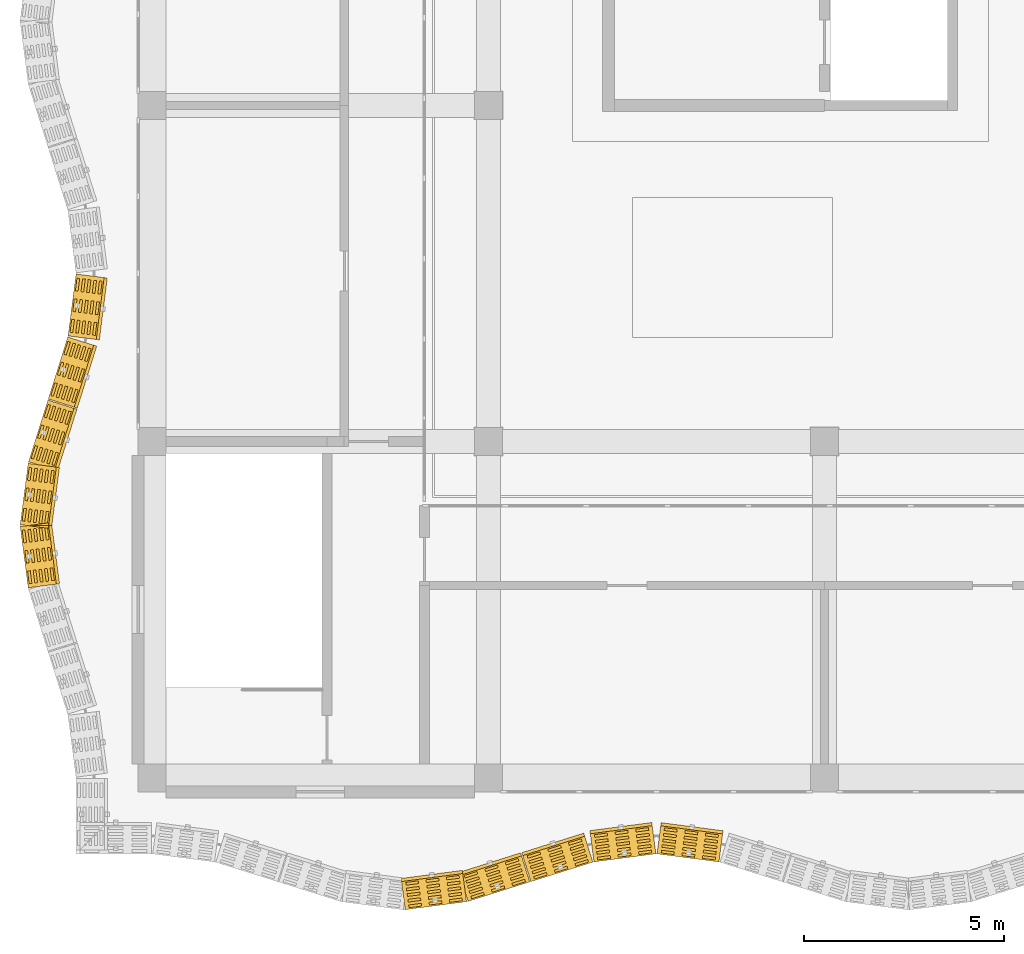
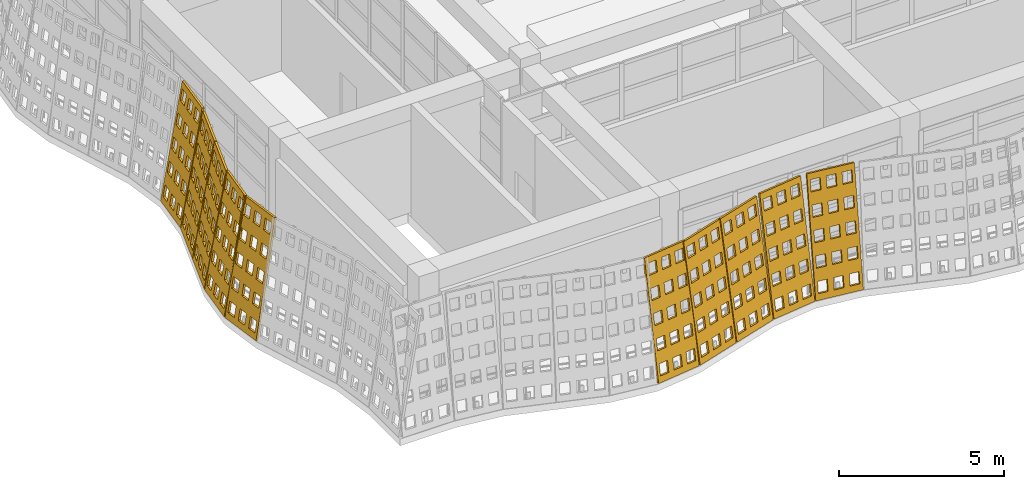
# One storey, part 72 of 85: 10 coverings.
"""IFC4 building model written with IfcOpenShell, lengths in metres."""

from ifc_helpers import new_model, si_unit, direction, frame, origin, place, context, subcontext, project, spatial, polyline, outline, extrude, material, layer, layer_set, type_object, element, save


model = new_model("IFC4")

# Units and contexts
model_context = context("Model", 3, precision=1e-05, world=origin(), true_north=direction((0.0, 1.0)))
body_context = subcontext(model_context, "Body", "Model", "MODEL_VIEW")
ifc_project = project(units=[si_unit("LENGTHUNIT", "METRE"), si_unit("AREAUNIT", "SQUARE_METRE"), si_unit("VOLUMEUNIT", "CUBIC_METRE"), si_unit("PLANEANGLEUNIT", "RADIAN"), si_unit("MASSUNIT", "GRAM", prefix="KILO")], contexts=[model_context])

# Site, building, storey
site_placement = place(None, origin())
site = spatial("IfcSite", under=ifc_project, at=site_placement, CompositionType="ELEMENT")
building_placement = place(site_placement, origin())
building = spatial("IfcBuilding", under=site, at=building_placement, Name="Rain Tree Exposition and Congress Centre", CompositionType="ELEMENT")
storey_placement = place(building_placement, frame((0.0, 0.0, 15.0)))
storey = spatial("IfcBuildingStorey", under=building, at=storey_placement, Name="L03", CompositionType="ELEMENT", Elevation=15.0)

# Coverings
ifc_material = material(Name="Perforated terracotta", Category="masonry")
ifc_layer = layer(ifc_material, 0.080078125)
ifc_layer_set = layer_set([ifc_layer], Name="Perforated terracotta")
covering_type = type_object("IfcCoveringType", Name="Terracotta screen 80", PredefinedType="CLADDING", material=ifc_layer_set)
covering_1_placement = place(storey_placement, frame((6.2998046875, -3.298095703125, 0.01318359375), z_axis=(-0.128349774249, 0.9779030419, -0.165021138321), x_axis=(-0.991496427865, -0.130133906157, 0.0)))
element("IfcCovering", 1, at=covering_1_placement, inside=storey, type_object=covering_type, Name="wing/screen/L03/005", PredefinedType="CLADDING", context=body_context, shape_type="SweptSolid", body=[
    extrude(outline(polyline([(-1.56640625, 0.0), (-1.56640625, 4.295166015625), (-0.025390625, 4.295166015625), (-0.025390625, 0.0), (-1.56640625, 0.0)]), holes=[polyline([(-0.123046875, 0.2216796875), (-0.123046875, 0.63720703125), (-0.44140625, 0.63720703125), (-0.44140625, 0.2216796875), (-0.123046875, 0.2216796875)]), polyline([(-0.123046875, 1.080810546875), (-0.123046875, 1.496337890625), (-0.44140625, 1.496337890625), (-0.44140625, 1.080810546875), (-0.123046875, 1.080810546875)]), polyline([(-0.123046875, 1.939697265625), (-0.123046875, 2.35546875), (-0.44140625, 2.35546875), (-0.44140625, 1.939697265625), (-0.123046875, 1.939697265625)]), polyline([(-0.123046875, 2.798583984375), (-0.123046875, 3.21435546875), (-0.44140625, 3.21435546875), (-0.44140625, 2.798583984375), (-0.123046875, 2.798583984375)]), polyline([(-0.123046875, 3.65771484375), (-0.123046875, 4.073486328125), (-0.44140625, 4.073486328125), (-0.44140625, 3.65771484375), (-0.123046875, 3.65771484375)]), polyline([(-0.63671875, 0.2216796875), (-0.63671875, 0.63720703125), (-0.955078125, 0.63720703125), (-0.955078125, 0.2216796875), (-0.63671875, 0.2216796875)]), polyline([(-0.63671875, 1.080810546875), (-0.63671875, 1.496337890625), (-0.955078125, 1.496337890625), (-0.955078125, 1.080810546875), (-0.63671875, 1.080810546875)]), polyline([(-0.63671875, 1.939697265625), (-0.63671875, 2.35546875), (-0.955078125, 2.35546875), (-0.955078125, 1.939697265625), (-0.63671875, 1.939697265625)]), polyline([(-0.63671875, 2.798583984375), (-0.63671875, 3.21435546875), (-0.955078125, 3.21435546875), (-0.955078125, 2.798583984375), (-0.63671875, 2.798583984375)]), polyline([(-0.63671875, 3.65771484375), (-0.63671875, 4.073486328125), (-0.955078125, 4.073486328125), (-0.955078125, 3.65771484375), (-0.63671875, 3.65771484375)]), polyline([(-1.150146484375, 0.2216796875), (-1.150146484375, 0.63720703125), (-1.46875, 0.63720703125), (-1.46875, 0.2216796875), (-1.150146484375, 0.2216796875)]), polyline([(-1.150146484375, 1.080810546875), (-1.150146484375, 1.496337890625), (-1.46875, 1.496337890625), (-1.46875, 1.080810546875), (-1.150146484375, 1.080810546875)]), polyline([(-1.150146484375, 1.939697265625), (-1.150146484375, 2.35546875), (-1.46875, 2.35546875), (-1.46875, 1.939697265625), (-1.150146484375, 1.939697265625)]), polyline([(-1.150146484375, 2.798583984375), (-1.150146484375, 3.21435546875), (-1.46875, 3.21435546875), (-1.46875, 2.798583984375), (-1.150146484375, 2.798583984375)]), polyline([(-1.150146484375, 3.65771484375), (-1.150146484375, 4.073486328125), (-1.46875, 4.073486328125), (-1.46875, 3.65771484375), (-1.150146484375, 3.65771484375)])]), origin(), (0.0, 0.0, 1.0), 0.079833984375),
])
covering_2_placement = place(storey_placement, frame((7.87451171875, -3.093505859375, 0.0126953125), z_axis=(-0.298496232686, 0.941176896939, -0.158385756119), x_axis=(-0.953208958144, -0.302312226207, 0.0)))
element("IfcCovering", 2, at=covering_2_placement, inside=storey, type_object=covering_type, Name="wing/screen/L03/006", PredefinedType="CLADDING", context=body_context, shape_type="SweptSolid", body=[
    extrude(outline(polyline([(-1.635986328125, 0.0), (-1.635986328125, 4.291259765625), (-0.02197265625, 4.291259765625), (-0.02197265625, 0.0), (-1.635986328125, 0.0)]), holes=[polyline([(-0.124267578125, 0.221435546875), (-0.124267578125, 0.63671875), (-0.457763671875, 0.63671875), (-0.457763671875, 0.221435546875), (-0.124267578125, 0.221435546875)]), polyline([(-0.124267578125, 1.07958984375), (-0.124267578125, 1.4951171875), (-0.457763671875, 1.4951171875), (-0.457763671875, 1.07958984375), (-0.124267578125, 1.07958984375)]), polyline([(-0.124267578125, 1.93798828125), (-0.124267578125, 2.353271484375), (-0.457763671875, 2.353271484375), (-0.457763671875, 1.93798828125), (-0.124267578125, 1.93798828125)]), polyline([(-0.124267578125, 2.796142578125), (-0.124267578125, 3.21142578125), (-0.457763671875, 3.21142578125), (-0.457763671875, 2.796142578125), (-0.124267578125, 2.796142578125)]), polyline([(-0.124267578125, 3.654541015625), (-0.124267578125, 4.06982421875), (-0.457763671875, 4.06982421875), (-0.457763671875, 3.654541015625), (-0.124267578125, 3.654541015625)]), polyline([(-0.662109375, 0.221435546875), (-0.662109375, 0.63671875), (-0.995849609375, 0.63671875), (-0.995849609375, 0.221435546875), (-0.662109375, 0.221435546875)]), polyline([(-0.662109375, 1.07958984375), (-0.662109375, 1.4951171875), (-0.995849609375, 1.4951171875), (-0.995849609375, 1.07958984375), (-0.662109375, 1.07958984375)]), polyline([(-0.662109375, 1.93798828125), (-0.662109375, 2.353271484375), (-0.995849609375, 2.353271484375), (-0.995849609375, 1.93798828125), (-0.662109375, 1.93798828125)]), polyline([(-0.662109375, 2.796142578125), (-0.662109375, 3.21142578125), (-0.995849609375, 3.21142578125), (-0.995849609375, 2.796142578125), (-0.662109375, 2.796142578125)]), polyline([(-0.662109375, 3.654541015625), (-0.662109375, 4.06982421875), (-0.995849609375, 4.06982421875), (-0.995849609375, 3.654541015625), (-0.662109375, 3.654541015625)]), polyline([(-1.2001953125, 0.221435546875), (-1.2001953125, 0.63671875), (-1.53369140625, 0.63671875), (-1.53369140625, 0.221435546875), (-1.2001953125, 0.221435546875)]), polyline([(-1.2001953125, 1.07958984375), (-1.2001953125, 1.4951171875), (-1.53369140625, 1.4951171875), (-1.53369140625, 1.07958984375), (-1.2001953125, 1.07958984375)]), polyline([(-1.2001953125, 1.93798828125), (-1.2001953125, 2.353271484375), (-1.53369140625, 2.353271484375), (-1.53369140625, 1.93798828125), (-1.2001953125, 1.93798828125)]), polyline([(-1.2001953125, 2.796142578125), (-1.2001953125, 3.21142578125), (-1.53369140625, 3.21142578125), (-1.53369140625, 2.796142578125), (-1.2001953125, 2.796142578125)]), polyline([(-1.2001953125, 3.654541015625), (-1.2001953125, 4.06982421875), (-1.53369140625, 4.06982421875), (-1.53369140625, 3.654541015625), (-1.2001953125, 3.654541015625)])]), origin(), (0.0, 0.0, 1.0), 0.080078125),
])
covering_3_placement = place(storey_placement, frame((9.449462890625, -2.598388671875, 0.0126953125), z_axis=(-0.295717964052, 0.942029390639, -0.158529217842), x_axis=(-0.954094597562, -0.29950542383, 0.0)))
element("IfcCovering", 3, at=covering_3_placement, inside=storey, type_object=covering_type, Name="wing/screen/L03/007", PredefinedType="CLADDING", context=body_context, shape_type="SweptSolid", body=[
    extrude(outline(polyline([(-1.635986328125, 0.0), (-1.635986328125, 4.291259765625), (-0.014892578125, 4.291259765625), (-0.014892578125, 0.0), (-1.635986328125, 0.0)]), holes=[polyline([(-0.11767578125, 0.221435546875), (-0.11767578125, 0.63671875), (-0.45263671875, 0.63671875), (-0.45263671875, 0.221435546875), (-0.11767578125, 0.221435546875)]), polyline([(-0.11767578125, 1.07958984375), (-0.11767578125, 1.4951171875), (-0.45263671875, 1.4951171875), (-0.45263671875, 1.07958984375), (-0.11767578125, 1.07958984375)]), polyline([(-0.11767578125, 1.93798828125), (-0.11767578125, 2.353271484375), (-0.45263671875, 2.353271484375), (-0.45263671875, 1.93798828125), (-0.11767578125, 1.93798828125)]), polyline([(-0.11767578125, 2.796142578125), (-0.11767578125, 3.21142578125), (-0.45263671875, 3.21142578125), (-0.45263671875, 2.796142578125), (-0.11767578125, 2.796142578125)]), polyline([(-0.11767578125, 3.654541015625), (-0.11767578125, 4.06982421875), (-0.45263671875, 4.06982421875), (-0.45263671875, 3.654541015625), (-0.11767578125, 3.654541015625)]), polyline([(-0.657958984375, 0.221435546875), (-0.657958984375, 0.63671875), (-0.992919921875, 0.63671875), (-0.992919921875, 0.221435546875), (-0.657958984375, 0.221435546875)]), polyline([(-0.657958984375, 1.07958984375), (-0.657958984375, 1.4951171875), (-0.992919921875, 1.4951171875), (-0.992919921875, 1.07958984375), (-0.657958984375, 1.07958984375)]), polyline([(-0.657958984375, 1.93798828125), (-0.657958984375, 2.353271484375), (-0.992919921875, 2.353271484375), (-0.992919921875, 1.93798828125), (-0.657958984375, 1.93798828125)]), polyline([(-0.657958984375, 2.796142578125), (-0.657958984375, 3.21142578125), (-0.992919921875, 3.21142578125), (-0.992919921875, 2.796142578125), (-0.657958984375, 2.796142578125)]), polyline([(-0.657958984375, 3.654541015625), (-0.657958984375, 4.06982421875), (-0.992919921875, 4.06982421875), (-0.992919921875, 3.654541015625), (-0.657958984375, 3.654541015625)]), polyline([(-1.1982421875, 0.221435546875), (-1.1982421875, 0.63671875), (-1.533203125, 0.63671875), (-1.533203125, 0.221435546875), (-1.1982421875, 0.221435546875)]), polyline([(-1.1982421875, 1.07958984375), (-1.1982421875, 1.4951171875), (-1.533203125, 1.4951171875), (-1.533203125, 1.07958984375), (-1.1982421875, 1.07958984375)]), polyline([(-1.1982421875, 1.93798828125), (-1.1982421875, 2.353271484375), (-1.533203125, 2.353271484375), (-1.533203125, 1.93798828125), (-1.1982421875, 1.93798828125)]), polyline([(-1.1982421875, 2.796142578125), (-1.1982421875, 3.21142578125), (-1.533203125, 3.21142578125), (-1.533203125, 2.796142578125), (-1.1982421875, 2.796142578125)]), polyline([(-1.1982421875, 3.654541015625), (-1.1982421875, 4.06982421875), (-1.533203125, 4.06982421875), (-1.533203125, 3.654541015625), (-1.1982421875, 3.654541015625)])]), origin(), (0.0, 0.0, 1.0), 0.080078125),
])
covering_4_placement = place(storey_placement, frame((11.024658203125, -2.10302734375, 0.01318359375), z_axis=(-0.128349774249, 0.9779030419, -0.165021138321), x_axis=(-0.991496427865, -0.130133906157, 0.0)))
element("IfcCovering", 4, at=covering_4_placement, inside=storey, type_object=covering_type, Name="wing/screen/L03/008", PredefinedType="CLADDING", context=body_context, shape_type="SweptSolid", body=[
    extrude(outline(polyline([(-1.5732421875, 0.0), (-1.5732421875, 4.295166015625), (-0.014892578125, 4.295166015625), (-0.014892578125, 0.0), (-1.5732421875, 0.0)]), holes=[polyline([(-0.11376953125, 0.2216796875), (-0.11376953125, 0.63720703125), (-0.435791015625, 0.63720703125), (-0.435791015625, 0.2216796875), (-0.11376953125, 0.2216796875)]), polyline([(-0.11376953125, 1.080810546875), (-0.11376953125, 1.496337890625), (-0.435791015625, 1.496337890625), (-0.435791015625, 1.080810546875), (-0.11376953125, 1.080810546875)]), polyline([(-0.11376953125, 1.939697265625), (-0.11376953125, 2.35546875), (-0.435791015625, 2.35546875), (-0.435791015625, 1.939697265625), (-0.11376953125, 1.939697265625)]), polyline([(-0.11376953125, 2.798583984375), (-0.11376953125, 3.21435546875), (-0.435791015625, 3.21435546875), (-0.435791015625, 2.798583984375), (-0.11376953125, 2.798583984375)]), polyline([(-0.11376953125, 3.65771484375), (-0.11376953125, 4.073486328125), (-0.435791015625, 4.073486328125), (-0.435791015625, 3.65771484375), (-0.11376953125, 3.65771484375)]), polyline([(-0.633056640625, 0.2216796875), (-0.633056640625, 0.63720703125), (-0.955078125, 0.63720703125), (-0.955078125, 0.2216796875), (-0.633056640625, 0.2216796875)]), polyline([(-0.633056640625, 1.080810546875), (-0.633056640625, 1.496337890625), (-0.955078125, 1.496337890625), (-0.955078125, 1.080810546875), (-0.633056640625, 1.080810546875)]), polyline([(-0.633056640625, 1.939697265625), (-0.633056640625, 2.35546875), (-0.955078125, 2.35546875), (-0.955078125, 1.939697265625), (-0.633056640625, 1.939697265625)]), polyline([(-0.633056640625, 2.798583984375), (-0.633056640625, 3.21435546875), (-0.955078125, 3.21435546875), (-0.955078125, 2.798583984375), (-0.633056640625, 2.798583984375)]), polyline([(-0.633056640625, 3.65771484375), (-0.633056640625, 4.073486328125), (-0.955078125, 4.073486328125), (-0.955078125, 3.65771484375), (-0.633056640625, 3.65771484375)]), polyline([(-1.152587890625, 0.2216796875), (-1.152587890625, 0.63720703125), (-1.474609375, 0.63720703125), (-1.474609375, 0.2216796875), (-1.152587890625, 0.2216796875)]), polyline([(-1.152587890625, 1.080810546875), (-1.152587890625, 1.496337890625), (-1.474609375, 1.496337890625), (-1.474609375, 1.080810546875), (-1.152587890625, 1.080810546875)]), polyline([(-1.152587890625, 1.939697265625), (-1.152587890625, 2.35546875), (-1.474609375, 2.35546875), (-1.474609375, 1.939697265625), (-1.152587890625, 1.939697265625)]), polyline([(-1.152587890625, 2.798583984375), (-1.152587890625, 3.21435546875), (-1.474609375, 3.21435546875), (-1.474609375, 2.798583984375), (-1.152587890625, 2.798583984375)]), polyline([(-1.152587890625, 3.65771484375), (-1.152587890625, 4.073486328125), (-1.474609375, 4.073486328125), (-1.474609375, 3.65771484375), (-1.152587890625, 3.65771484375)])]), origin(), (0.0, 0.0, 1.0), 0.079833984375),
])
covering_5_placement = place(storey_placement, frame((12.600341796875, -1.898193359375, 0.01318359375), z_axis=(0.127967328105, 0.978036007662, -0.16452942185), x_axis=(-0.991548658387, 0.129735338481, 0.0)))
element("IfcCovering", 5, at=covering_5_placement, inside=storey, type_object=covering_type, Name="wing/screen/L03/009", PredefinedType="CLADDING", context=body_context, shape_type="SweptSolid", body=[
    extrude(outline(polyline([(-1.5732421875, 0.0), (-1.5732421875, 4.295166015625), (-0.014892578125, 4.295166015625), (-0.014892578125, 0.0), (-1.5732421875, 0.0)]), holes=[polyline([(-0.11376953125, 0.2216796875), (-0.11376953125, 0.63720703125), (-0.435791015625, 0.63720703125), (-0.435791015625, 0.2216796875), (-0.11376953125, 0.2216796875)]), polyline([(-0.11376953125, 1.080810546875), (-0.11376953125, 1.496337890625), (-0.435791015625, 1.496337890625), (-0.435791015625, 1.080810546875), (-0.11376953125, 1.080810546875)]), polyline([(-0.11376953125, 1.939697265625), (-0.11376953125, 2.35546875), (-0.435791015625, 2.35546875), (-0.435791015625, 1.939697265625), (-0.11376953125, 1.939697265625)]), polyline([(-0.11376953125, 2.798583984375), (-0.11376953125, 3.21435546875), (-0.435791015625, 3.21435546875), (-0.435791015625, 2.798583984375), (-0.11376953125, 2.798583984375)]), polyline([(-0.11376953125, 3.65771484375), (-0.11376953125, 4.073486328125), (-0.435791015625, 4.073486328125), (-0.435791015625, 3.65771484375), (-0.11376953125, 3.65771484375)]), polyline([(-0.633056640625, 0.2216796875), (-0.633056640625, 0.63720703125), (-0.955078125, 0.63720703125), (-0.955078125, 0.2216796875), (-0.633056640625, 0.2216796875)]), polyline([(-0.633056640625, 1.080810546875), (-0.633056640625, 1.496337890625), (-0.955078125, 1.496337890625), (-0.955078125, 1.080810546875), (-0.633056640625, 1.080810546875)]), polyline([(-0.633056640625, 1.939697265625), (-0.633056640625, 2.35546875), (-0.955078125, 2.35546875), (-0.955078125, 1.939697265625), (-0.633056640625, 1.939697265625)]), polyline([(-0.633056640625, 2.798583984375), (-0.633056640625, 3.21435546875), (-0.955078125, 3.21435546875), (-0.955078125, 2.798583984375), (-0.633056640625, 2.798583984375)]), polyline([(-0.633056640625, 3.65771484375), (-0.633056640625, 4.073486328125), (-0.955078125, 4.073486328125), (-0.955078125, 3.65771484375), (-0.633056640625, 3.65771484375)]), polyline([(-1.152587890625, 0.2216796875), (-1.152587890625, 0.63720703125), (-1.474609375, 0.63720703125), (-1.474609375, 0.2216796875), (-1.152587890625, 0.2216796875)]), polyline([(-1.152587890625, 1.080810546875), (-1.152587890625, 1.496337890625), (-1.474609375, 1.496337890625), (-1.474609375, 1.080810546875), (-1.152587890625, 1.080810546875)]), polyline([(-1.152587890625, 1.939697265625), (-1.152587890625, 2.35546875), (-1.474609375, 2.35546875), (-1.474609375, 1.939697265625), (-1.152587890625, 1.939697265625)]), polyline([(-1.152587890625, 2.798583984375), (-1.152587890625, 3.21435546875), (-1.474609375, 3.21435546875), (-1.474609375, 2.798583984375), (-1.152587890625, 2.798583984375)]), polyline([(-1.152587890625, 3.65771484375), (-1.152587890625, 4.073486328125), (-1.474609375, 4.073486328125), (-1.474609375, 3.65771484375), (-1.152587890625, 3.65771484375)])]), origin(), (0.0, 0.0, 1.0), 0.080078125),
])
covering_6_placement = place(storey_placement, frame((-1.898193359375, 12.599609375, 0.01318359375), z_axis=(0.978413018317, -0.124968640969, -0.164592844203), x_axis=(0.126696580272, 0.991941518713, 0.0)))
element("IfcCovering", 6, at=covering_6_placement, inside=storey, type_object=covering_type, Name="wing/screen/L03/127", PredefinedType="CLADDING", context=body_context, shape_type="SweptSolid", body=[
    extrude(outline(polyline([(-1.5732421875, 0.0), (-1.5732421875, 4.295166015625), (-0.014892578125, 4.295166015625), (-0.014892578125, 0.0), (-1.5732421875, 0.0)]), holes=[polyline([(-0.11376953125, 0.2216796875), (-0.11376953125, 0.63720703125), (-0.435791015625, 0.63720703125), (-0.435791015625, 0.2216796875), (-0.11376953125, 0.2216796875)]), polyline([(-0.11376953125, 1.080810546875), (-0.11376953125, 1.496337890625), (-0.435791015625, 1.496337890625), (-0.435791015625, 1.080810546875), (-0.11376953125, 1.080810546875)]), polyline([(-0.11376953125, 1.939697265625), (-0.11376953125, 2.35546875), (-0.435791015625, 2.35546875), (-0.435791015625, 1.939697265625), (-0.11376953125, 1.939697265625)]), polyline([(-0.11376953125, 2.798583984375), (-0.11376953125, 3.21435546875), (-0.435791015625, 3.21435546875), (-0.435791015625, 2.798583984375), (-0.11376953125, 2.798583984375)]), polyline([(-0.11376953125, 3.65771484375), (-0.11376953125, 4.073486328125), (-0.435791015625, 4.073486328125), (-0.435791015625, 3.65771484375), (-0.11376953125, 3.65771484375)]), polyline([(-0.633056640625, 0.2216796875), (-0.633056640625, 0.63720703125), (-0.955078125, 0.63720703125), (-0.955078125, 0.2216796875), (-0.633056640625, 0.2216796875)]), polyline([(-0.633056640625, 1.080810546875), (-0.633056640625, 1.496337890625), (-0.955078125, 1.496337890625), (-0.955078125, 1.080810546875), (-0.633056640625, 1.080810546875)]), polyline([(-0.633056640625, 1.939697265625), (-0.633056640625, 2.35546875), (-0.955078125, 2.35546875), (-0.955078125, 1.939697265625), (-0.633056640625, 1.939697265625)]), polyline([(-0.633056640625, 2.798583984375), (-0.633056640625, 3.21435546875), (-0.955078125, 3.21435546875), (-0.955078125, 2.798583984375), (-0.633056640625, 2.798583984375)]), polyline([(-0.633056640625, 3.65771484375), (-0.633056640625, 4.073486328125), (-0.955078125, 4.073486328125), (-0.955078125, 3.65771484375), (-0.633056640625, 3.65771484375)]), polyline([(-1.152587890625, 0.2216796875), (-1.152587890625, 0.63720703125), (-1.474609375, 0.63720703125), (-1.474609375, 0.2216796875), (-1.152587890625, 0.2216796875)]), polyline([(-1.152587890625, 1.080810546875), (-1.152587890625, 1.496337890625), (-1.474609375, 1.496337890625), (-1.474609375, 1.080810546875), (-1.152587890625, 1.080810546875)]), polyline([(-1.152587890625, 1.939697265625), (-1.152587890625, 2.35546875), (-1.474609375, 2.35546875), (-1.474609375, 1.939697265625), (-1.152587890625, 1.939697265625)]), polyline([(-1.152587890625, 2.798583984375), (-1.152587890625, 3.21435546875), (-1.474609375, 3.21435546875), (-1.474609375, 2.798583984375), (-1.152587890625, 2.798583984375)]), polyline([(-1.152587890625, 3.65771484375), (-1.152587890625, 4.073486328125), (-1.474609375, 4.073486328125), (-1.474609375, 3.65771484375), (-1.152587890625, 3.65771484375)])]), origin(), (0.0, 0.0, 1.0), 0.080078125),
])
covering_7_placement = place(storey_placement, frame((-2.103515625, 11.0244140625, 0.0126953125), z_axis=(0.942029390639, -0.295717964052, -0.158529217842), x_axis=(0.29950542383, 0.954094597562, 0.0)))
element("IfcCovering", 7, at=covering_7_placement, inside=storey, type_object=covering_type, Name="wing/screen/L03/128", PredefinedType="CLADDING", context=body_context, shape_type="SweptSolid", body=[
    extrude(outline(polyline([(-1.635986328125, 0.0), (-1.635986328125, 4.291259765625), (-0.014892578125, 4.291259765625), (-0.014892578125, 0.0), (-1.635986328125, 0.0)]), holes=[polyline([(-0.11767578125, 0.221435546875), (-0.11767578125, 0.63671875), (-0.45263671875, 0.63671875), (-0.45263671875, 0.221435546875), (-0.11767578125, 0.221435546875)]), polyline([(-0.11767578125, 1.07958984375), (-0.11767578125, 1.4951171875), (-0.45263671875, 1.4951171875), (-0.45263671875, 1.07958984375), (-0.11767578125, 1.07958984375)]), polyline([(-0.11767578125, 1.93798828125), (-0.11767578125, 2.353271484375), (-0.45263671875, 2.353271484375), (-0.45263671875, 1.93798828125), (-0.11767578125, 1.93798828125)]), polyline([(-0.11767578125, 2.796142578125), (-0.11767578125, 3.21142578125), (-0.45263671875, 3.21142578125), (-0.45263671875, 2.796142578125), (-0.11767578125, 2.796142578125)]), polyline([(-0.11767578125, 3.654541015625), (-0.11767578125, 4.06982421875), (-0.45263671875, 4.06982421875), (-0.45263671875, 3.654541015625), (-0.11767578125, 3.654541015625)]), polyline([(-0.657958984375, 0.221435546875), (-0.657958984375, 0.63671875), (-0.992919921875, 0.63671875), (-0.992919921875, 0.221435546875), (-0.657958984375, 0.221435546875)]), polyline([(-0.657958984375, 1.07958984375), (-0.657958984375, 1.4951171875), (-0.992919921875, 1.4951171875), (-0.992919921875, 1.07958984375), (-0.657958984375, 1.07958984375)]), polyline([(-0.657958984375, 1.93798828125), (-0.657958984375, 2.353271484375), (-0.992919921875, 2.353271484375), (-0.992919921875, 1.93798828125), (-0.657958984375, 1.93798828125)]), polyline([(-0.657958984375, 2.796142578125), (-0.657958984375, 3.21142578125), (-0.992919921875, 3.21142578125), (-0.992919921875, 2.796142578125), (-0.657958984375, 2.796142578125)]), polyline([(-0.657958984375, 3.654541015625), (-0.657958984375, 4.06982421875), (-0.992919921875, 4.06982421875), (-0.992919921875, 3.654541015625), (-0.657958984375, 3.654541015625)]), polyline([(-1.1982421875, 0.221435546875), (-1.1982421875, 0.63671875), (-1.533203125, 0.63671875), (-1.533203125, 0.221435546875), (-1.1982421875, 0.221435546875)]), polyline([(-1.1982421875, 1.07958984375), (-1.1982421875, 1.4951171875), (-1.533203125, 1.4951171875), (-1.533203125, 1.07958984375), (-1.1982421875, 1.07958984375)]), polyline([(-1.1982421875, 1.93798828125), (-1.1982421875, 2.353271484375), (-1.533203125, 2.353271484375), (-1.533203125, 1.93798828125), (-1.1982421875, 1.93798828125)]), polyline([(-1.1982421875, 2.796142578125), (-1.1982421875, 3.21142578125), (-1.533203125, 3.21142578125), (-1.533203125, 2.796142578125), (-1.1982421875, 2.796142578125)]), polyline([(-1.1982421875, 3.654541015625), (-1.1982421875, 4.06982421875), (-1.533203125, 4.06982421875), (-1.533203125, 3.654541015625), (-1.1982421875, 3.654541015625)])]), origin(), (0.0, 0.0, 1.0), 0.080078125),
])
covering_8_placement = place(storey_placement, frame((-2.598388671875, 9.449462890625, 0.0126953125), z_axis=(0.942029390639, -0.295717964052, -0.158529217842), x_axis=(0.29950542383, 0.954094597562, 0.0)))
element("IfcCovering", 8, at=covering_8_placement, inside=storey, type_object=covering_type, Name="wing/screen/L03/129", PredefinedType="CLADDING", context=body_context, shape_type="SweptSolid", body=[
    extrude(outline(polyline([(-1.62890625, 0.0), (-1.62890625, 4.291259765625), (-0.014892578125, 4.291259765625), (-0.014892578125, 0.0), (-1.62890625, 0.0)]), holes=[polyline([(-0.1171875, 0.221435546875), (-0.1171875, 0.63671875), (-0.45068359375, 0.63671875), (-0.45068359375, 0.221435546875), (-0.1171875, 0.221435546875)]), polyline([(-0.1171875, 1.07958984375), (-0.1171875, 1.4951171875), (-0.45068359375, 1.4951171875), (-0.45068359375, 1.07958984375), (-0.1171875, 1.07958984375)]), polyline([(-0.1171875, 1.93798828125), (-0.1171875, 2.353271484375), (-0.45068359375, 2.353271484375), (-0.45068359375, 1.93798828125), (-0.1171875, 1.93798828125)]), polyline([(-0.1171875, 2.796142578125), (-0.1171875, 3.21142578125), (-0.45068359375, 3.21142578125), (-0.45068359375, 2.796142578125), (-0.1171875, 2.796142578125)]), polyline([(-0.1171875, 3.654541015625), (-0.1171875, 4.06982421875), (-0.45068359375, 4.06982421875), (-0.45068359375, 3.654541015625), (-0.1171875, 3.654541015625)]), polyline([(-0.6552734375, 0.221435546875), (-0.6552734375, 0.63671875), (-0.98876953125, 0.63671875), (-0.98876953125, 0.221435546875), (-0.6552734375, 0.221435546875)]), polyline([(-0.6552734375, 1.07958984375), (-0.6552734375, 1.4951171875), (-0.98876953125, 1.4951171875), (-0.98876953125, 1.07958984375), (-0.6552734375, 1.07958984375)]), polyline([(-0.6552734375, 1.93798828125), (-0.6552734375, 2.353271484375), (-0.98876953125, 2.353271484375), (-0.98876953125, 1.93798828125), (-0.6552734375, 1.93798828125)]), polyline([(-0.6552734375, 2.796142578125), (-0.6552734375, 3.21142578125), (-0.98876953125, 3.21142578125), (-0.98876953125, 2.796142578125), (-0.6552734375, 2.796142578125)]), polyline([(-0.6552734375, 3.654541015625), (-0.6552734375, 4.06982421875), (-0.98876953125, 4.06982421875), (-0.98876953125, 3.654541015625), (-0.6552734375, 3.654541015625)]), polyline([(-1.193115234375, 0.221435546875), (-1.193115234375, 0.63671875), (-1.526611328125, 0.63671875), (-1.526611328125, 0.221435546875), (-1.193115234375, 0.221435546875)]), polyline([(-1.193115234375, 1.07958984375), (-1.193115234375, 1.4951171875), (-1.526611328125, 1.4951171875), (-1.526611328125, 1.07958984375), (-1.193115234375, 1.07958984375)]), polyline([(-1.193115234375, 1.93798828125), (-1.193115234375, 2.353271484375), (-1.526611328125, 2.353271484375), (-1.526611328125, 1.93798828125), (-1.193115234375, 1.93798828125)]), polyline([(-1.193115234375, 2.796142578125), (-1.193115234375, 3.21142578125), (-1.526611328125, 3.21142578125), (-1.526611328125, 2.796142578125), (-1.193115234375, 2.796142578125)]), polyline([(-1.193115234375, 3.654541015625), (-1.193115234375, 4.06982421875), (-1.526611328125, 4.06982421875), (-1.526611328125, 3.654541015625), (-1.193115234375, 3.654541015625)])]), origin(), (0.0, 0.0, 1.0), 0.080078125),
])
covering_9_placement = place(storey_placement, frame((-3.093017578125, 7.874755859375, 0.01318359375), z_axis=(0.9779030419, -0.128349774249, -0.165021138321), x_axis=(0.130133906157, 0.991496427865, 0.0)))
element("IfcCovering", 9, at=covering_9_placement, inside=storey, type_object=covering_type, Name="wing/screen/L03/130", PredefinedType="CLADDING", context=body_context, shape_type="SweptSolid", body=[
    extrude(outline(polyline([(-1.56298828125, 0.0), (-1.56298828125, 4.295166015625), (-0.02197265625, 4.295166015625), (-0.02197265625, 0.0), (-1.56298828125, 0.0)]), holes=[polyline([(-0.11962890625, 0.2216796875), (-0.11962890625, 0.63720703125), (-0.43798828125, 0.63720703125), (-0.43798828125, 0.2216796875), (-0.11962890625, 0.2216796875)]), polyline([(-0.11962890625, 1.080810546875), (-0.11962890625, 1.496337890625), (-0.43798828125, 1.496337890625), (-0.43798828125, 1.080810546875), (-0.11962890625, 1.080810546875)]), polyline([(-0.11962890625, 1.939697265625), (-0.11962890625, 2.35546875), (-0.43798828125, 2.35546875), (-0.43798828125, 1.939697265625), (-0.11962890625, 1.939697265625)]), polyline([(-0.11962890625, 2.798583984375), (-0.11962890625, 3.21435546875), (-0.43798828125, 3.21435546875), (-0.43798828125, 2.798583984375), (-0.11962890625, 2.798583984375)]), polyline([(-0.11962890625, 3.65771484375), (-0.11962890625, 4.073486328125), (-0.43798828125, 4.073486328125), (-0.43798828125, 3.65771484375), (-0.11962890625, 3.65771484375)]), polyline([(-0.63330078125, 0.2216796875), (-0.63330078125, 0.63720703125), (-0.95166015625, 0.63720703125), (-0.95166015625, 0.2216796875), (-0.63330078125, 0.2216796875)]), polyline([(-0.63330078125, 1.080810546875), (-0.63330078125, 1.496337890625), (-0.95166015625, 1.496337890625), (-0.95166015625, 1.080810546875), (-0.63330078125, 1.080810546875)]), polyline([(-0.63330078125, 1.939697265625), (-0.63330078125, 2.35546875), (-0.95166015625, 2.35546875), (-0.95166015625, 1.939697265625), (-0.63330078125, 1.939697265625)]), polyline([(-0.63330078125, 2.798583984375), (-0.63330078125, 3.21435546875), (-0.95166015625, 3.21435546875), (-0.95166015625, 2.798583984375), (-0.63330078125, 2.798583984375)]), polyline([(-0.63330078125, 3.65771484375), (-0.63330078125, 4.073486328125), (-0.95166015625, 4.073486328125), (-0.95166015625, 3.65771484375), (-0.63330078125, 3.65771484375)]), polyline([(-1.146728515625, 0.2216796875), (-1.146728515625, 0.63720703125), (-1.46533203125, 0.63720703125), (-1.46533203125, 0.2216796875), (-1.146728515625, 0.2216796875)]), polyline([(-1.146728515625, 1.080810546875), (-1.146728515625, 1.496337890625), (-1.46533203125, 1.496337890625), (-1.46533203125, 1.080810546875), (-1.146728515625, 1.080810546875)]), polyline([(-1.146728515625, 1.939697265625), (-1.146728515625, 2.35546875), (-1.46533203125, 2.35546875), (-1.46533203125, 1.939697265625), (-1.146728515625, 1.939697265625)]), polyline([(-1.146728515625, 2.798583984375), (-1.146728515625, 3.21435546875), (-1.46533203125, 3.21435546875), (-1.46533203125, 2.798583984375), (-1.146728515625, 2.798583984375)]), polyline([(-1.146728515625, 3.65771484375), (-1.146728515625, 4.073486328125), (-1.46533203125, 4.073486328125), (-1.46533203125, 3.65771484375), (-1.146728515625, 3.65771484375)])]), origin(), (0.0, 0.0, 1.0), 0.079833984375),
])
covering_10_placement = place(storey_placement, frame((-3.298095703125, 6.30029296875, 0.01318359375), z_axis=(0.9779030419, 0.128349774249, -0.165021138321), x_axis=(-0.130133906157, 0.991496427865, 0.0)))
element("IfcCovering", 10, at=covering_10_placement, inside=storey, type_object=covering_type, Name="wing/screen/L03/131", PredefinedType="CLADDING", context=body_context, shape_type="SweptSolid", body=[
    extrude(outline(polyline([(-1.56640625, 0.0), (-1.56640625, 4.295166015625), (-0.025390625, 4.295166015625), (-0.025390625, 0.0), (-1.56640625, 0.0)]), holes=[polyline([(-0.123046875, 0.2216796875), (-0.123046875, 0.63720703125), (-0.44140625, 0.63720703125), (-0.44140625, 0.2216796875), (-0.123046875, 0.2216796875)]), polyline([(-0.123046875, 1.080810546875), (-0.123046875, 1.496337890625), (-0.44140625, 1.496337890625), (-0.44140625, 1.080810546875), (-0.123046875, 1.080810546875)]), polyline([(-0.123046875, 1.939697265625), (-0.123046875, 2.35546875), (-0.44140625, 2.35546875), (-0.44140625, 1.939697265625), (-0.123046875, 1.939697265625)]), polyline([(-0.123046875, 2.798583984375), (-0.123046875, 3.21435546875), (-0.44140625, 3.21435546875), (-0.44140625, 2.798583984375), (-0.123046875, 2.798583984375)]), polyline([(-0.123046875, 3.65771484375), (-0.123046875, 4.073486328125), (-0.44140625, 4.073486328125), (-0.44140625, 3.65771484375), (-0.123046875, 3.65771484375)]), polyline([(-0.63671875, 0.2216796875), (-0.63671875, 0.63720703125), (-0.955078125, 0.63720703125), (-0.955078125, 0.2216796875), (-0.63671875, 0.2216796875)]), polyline([(-0.63671875, 1.080810546875), (-0.63671875, 1.496337890625), (-0.955078125, 1.496337890625), (-0.955078125, 1.080810546875), (-0.63671875, 1.080810546875)]), polyline([(-0.63671875, 1.939697265625), (-0.63671875, 2.35546875), (-0.955078125, 2.35546875), (-0.955078125, 1.939697265625), (-0.63671875, 1.939697265625)]), polyline([(-0.63671875, 2.798583984375), (-0.63671875, 3.21435546875), (-0.955078125, 3.21435546875), (-0.955078125, 2.798583984375), (-0.63671875, 2.798583984375)]), polyline([(-0.63671875, 3.65771484375), (-0.63671875, 4.073486328125), (-0.955078125, 4.073486328125), (-0.955078125, 3.65771484375), (-0.63671875, 3.65771484375)]), polyline([(-1.150146484375, 0.2216796875), (-1.150146484375, 0.63720703125), (-1.46875, 0.63720703125), (-1.46875, 0.2216796875), (-1.150146484375, 0.2216796875)]), polyline([(-1.150146484375, 1.080810546875), (-1.150146484375, 1.496337890625), (-1.46875, 1.496337890625), (-1.46875, 1.080810546875), (-1.150146484375, 1.080810546875)]), polyline([(-1.150146484375, 1.939697265625), (-1.150146484375, 2.35546875), (-1.46875, 2.35546875), (-1.46875, 1.939697265625), (-1.150146484375, 1.939697265625)]), polyline([(-1.150146484375, 2.798583984375), (-1.150146484375, 3.21435546875), (-1.46875, 3.21435546875), (-1.46875, 2.798583984375), (-1.150146484375, 2.798583984375)]), polyline([(-1.150146484375, 3.65771484375), (-1.150146484375, 4.073486328125), (-1.46875, 4.073486328125), (-1.46875, 3.65771484375), (-1.150146484375, 3.65771484375)])]), origin(), (0.0, 0.0, 1.0), 0.079833984375),
])

save(model, "model.ifc")
